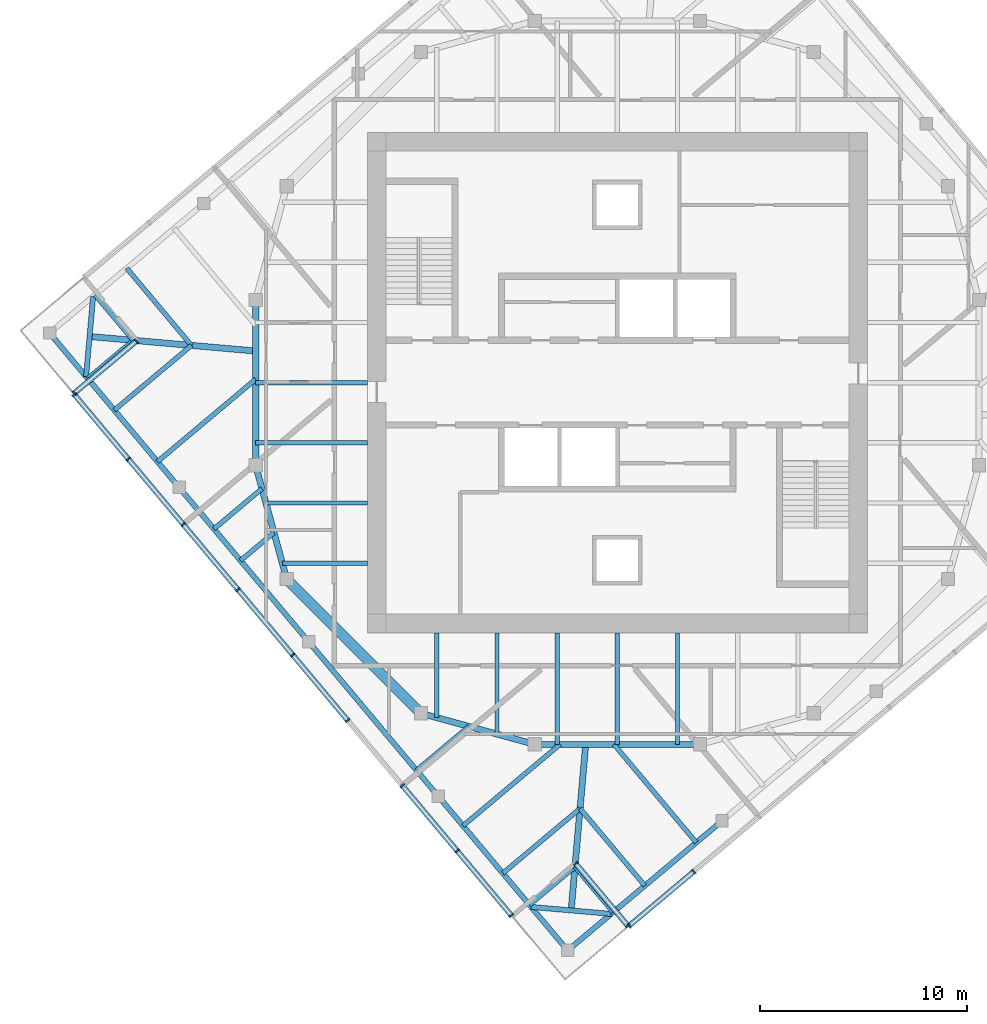
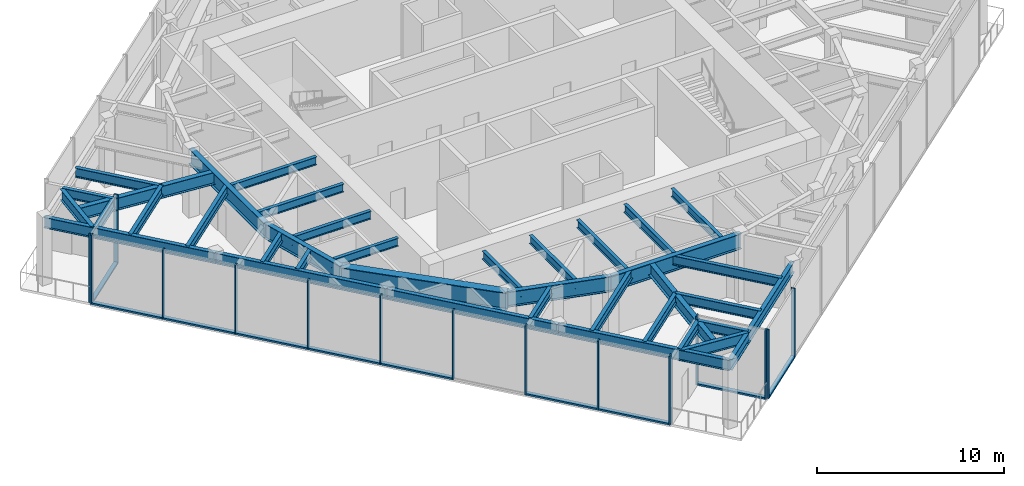
# One storey, part 2 of 11: 37 beams, 25 members, 4 elements without a shape of their own.
"""IFC4 building model written with IfcOpenShell, lengths in metres."""

from ifc_helpers import new_model, si_unit, direction, frame, origin, origin_2d, place, context, subcontext, project, spatial, rectangle, i_section, extrude, material, material_profile, profile_set, type_object, element, aggregate, save


model = new_model("IFC4")

# Units and contexts
model_context = context("Model", 3, precision=1e-05, world=origin(), true_north=direction((0.0, 1.0)))
body_context = subcontext(model_context, "Body", "Model", "MODEL_VIEW")
ifc_project = project(units=[si_unit("LENGTHUNIT", "METRE"), si_unit("AREAUNIT", "SQUARE_METRE"), si_unit("VOLUMEUNIT", "CUBIC_METRE"), si_unit("PLANEANGLEUNIT", "RADIAN"), si_unit("MASSUNIT", "GRAM", prefix="KILO")], contexts=[model_context])

# Site, building, storey
site_placement = place(None, origin())
site = spatial("IfcSite", under=ifc_project, at=site_placement, CompositionType="ELEMENT")
building_placement = place(site_placement, origin())
building = spatial("IfcBuilding", under=site, at=building_placement, Name="Torsade Residences", CompositionType="ELEMENT")
storey_placement = place(building_placement, frame((0.0, 0.0, 299.800048828125)))
storey = spatial("IfcBuildingStorey", under=building, at=storey_placement, Name="L83", CompositionType="ELEMENT", Elevation=299.800048828125)

# Beams
ifc_material_1 = material(Name="Steel grade 300", Category="steel")
ifc_material_profile_1 = material_profile(ifc_material_1, i_section(OverallWidth=0.300048828125, OverallDepth=0.800048828125, WebThickness=0.010009765625, FlangeThickness=0.02001953125, at=origin_2d()), Name="800WB146")
ifc_profile_set_1 = profile_set([ifc_material_profile_1], Name="Steel grade 300")
beam_type_1 = type_object("IfcBeamType", Name="CORNER GIRDER 800WB146", PredefinedType="BEAM", material=ifc_profile_set_1)
for number, where, z_axis, x_axis, name in (
    (1, (37.765869140625, 4.46484375, 3.89990234375), (0.087172957961, 0.996193191806, 0.0), (-0.996193191806, 0.087172957961, 0.0), "Corner girder 01 L84"),
    (2, (14.46484375, 32.234130859375, 3.89990234375), (0.996193191806, -0.087172957961, 0.0), (0.087172957961, 0.996193191806, 0.0), "Corner girder 13 L84"),
):
    element("IfcBeam", number, at=place(storey_placement, frame(where, z_axis=z_axis, x_axis=x_axis)), inside=storey, type_object=beam_type_1, Name=name, PredefinedType="BEAM", context=body_context, shape_type="SweptSolid", body=[
        extrude(i_section(OverallWidth=0.300048828125, OverallDepth=0.800048828125, WebThickness=0.010009765625, FlangeThickness=0.02001953125, at=origin_2d()), origin(), (0.0, 0.0, 1.0), 8.06591796875),
    ])
ifc_material_2 = material(Name="Steel grade 300", Category="steel")
ifc_material_profile_2 = material_profile(ifc_material_2, i_section(OverallWidth=0.25, OverallDepth=0.699951171875, WebThickness=0.010009765625, FlangeThickness=0.02001953125, at=origin_2d()), Name="700WB130")
ifc_profile_set_2 = profile_set([ifc_material_profile_2], Name="Steel grade 300")
beam_type_2 = type_object("IfcBeamType", Name="CORNER TRIMMER 700WB130", PredefinedType="BEAM", material=ifc_profile_set_2)
for number, where, z_axis, x_axis, name in (
    (3, (39.703125, 4.29541015625, 3.949951171875), (-0.996196646947, 0.087133464362, 0.0), (-0.087133464362, -0.996196646947, 0.0), "Corner trimmer 01 L84"),
    (4, (14.29541015625, 30.296875, 3.949951171875), (0.087133464362, 0.996196646947, 0.0), (-0.996196646947, 0.087133464362, 0.0), "Corner trimmer 13 L84"),
):
    element("IfcBeam", number, at=place(storey_placement, frame(where, z_axis=z_axis, x_axis=x_axis)), inside=storey, type_object=beam_type_2, Name=name, PredefinedType="BEAM", context=body_context, shape_type="SweptSolid", body=[
        extrude(i_section(OverallWidth=0.25, OverallDepth=0.699951171875, WebThickness=0.010009765625, FlangeThickness=0.02001953125, at=origin_2d()), origin(), (0.0, 0.0, 1.0), 3.88916015625),
    ])
ifc_material_3 = material(Name="Steel grade 300", Category="steel")
ifc_material_profile_3 = material_profile(ifc_material_3, i_section(OverallWidth=0.25, OverallDepth=0.699951171875, WebThickness=0.010009765625, FlangeThickness=0.02001953125, at=origin_2d()), Name="700WB130")
ifc_profile_set_3 = profile_set([ifc_material_profile_3], Name="Steel grade 300")
beam_type_3 = type_object("IfcBeamType", Name="EDGE BEAM 700WB130", PredefinedType="SPANDREL", material=ifc_profile_set_3)
for number, where, z_axis, x_axis, name in (
    (5, (37.596435546875, 2.52783203125, 3.949951171875), (0.766051532934, 0.642779160279, 0.0), (-0.642779160279, 0.766051532934, 0.0), "Edge beam 01 L84"),
    (6, (12.52783203125, 32.403564453125, 3.949951171875), (0.642779160279, -0.766051532934, 0.0), (0.766051532934, 0.642779160279, 0.0), "Edge beam 13 L84"),
    (7, (18.794921875, 24.9345703125, 3.949951171875), (0.642779160279, -0.766051532934, 0.0), (0.766051532934, 0.642779160279, 0.0), "Edge beam 14 L84"),
    (8, (25.06201171875, 17.465576171875, 3.949951171875), (0.642806184154, -0.766028856906, 0.0), (0.766028856906, 0.642806184154, 0.0), "Edge beam 15 L84"),
    (9, (31.329345703125, 9.996826171875, 3.949951171875), (0.642779160279, -0.766051532934, 0.0), (0.766051532934, 0.642779160279, 0.0), "Edge beam 16 L84"),
):
    element("IfcBeam", number, at=place(storey_placement, frame(where, z_axis=z_axis, x_axis=x_axis)), inside=storey, type_object=beam_type_3, Name=name, PredefinedType="SPANDREL", context=body_context, shape_type="SweptSolid", body=[
        extrude(i_section(OverallWidth=0.25, OverallDepth=0.699951171875, WebThickness=0.010009765625, FlangeThickness=0.02001953125, at=origin_2d()), origin(), (0.0, 0.0, 1.0), 9.75),
    ])
ifc_material_4 = material(Name="Steel grade 300", Category="steel")
ifc_material_profile_4 = material_profile(ifc_material_4, i_section(OverallWidth=0.208984375, OverallDepth=0.528076171875, WebThickness=0.009521484375, FlangeThickness=0.01318359375, FilletRadius=0.013916015625, at=origin_2d()), Name="530UB82.0")
ifc_profile_set_4 = profile_set([ifc_material_profile_4], Name="Steel grade 300")
beam_type_4 = type_object("IfcBeamType", Name="INNER FLOOR BEAM 530UB82.0", PredefinedType="JOIST", material=ifc_profile_set_4)
for number, where, z_axis, x_axis, name in (
    (10, (42.91259765625, 17.89990234375, 4.035888671875), (0.0, -1.0, 0.0), (1.0, 0.0, 0.0), "Inner floor beam IS03 L84"),
    (11, (40.0, 17.89990234375, 4.035888671875), (0.0, -1.0, 0.0), (1.0, 0.0, 0.0), "Inner floor beam IS04 L84"),
    (12, (37.08740234375, 17.89990234375, 4.035888671875), (0.0, -1.0, 0.0), (1.0, 0.0, 0.0), "Inner floor beam IS05 L84"),
):
    element("IfcBeam", number, at=place(storey_placement, frame(where, z_axis=z_axis, x_axis=x_axis)), inside=storey, type_object=beam_type_4, Name=name, PredefinedType="JOIST", context=body_context, shape_type="SweptSolid", body=[
        extrude(i_section(OverallWidth=0.208984375, OverallDepth=0.528076171875, WebThickness=0.009521484375, FlangeThickness=0.01318359375, FilletRadius=0.013916015625, at=origin_2d()), origin(), (0.0, 0.0, 1.0), 5.39990234375),
    ])
beam_1_placement = place(storey_placement, frame((34.175048828125, 17.89990234375, 4.035888671875), z_axis=(0.0, -1.0, 0.0), x_axis=(1.0, 0.0, 0.0)))
element("IfcBeam", 13, at=beam_1_placement, inside=storey, type_object=beam_type_4, Name="Inner floor beam IS06 L84", PredefinedType="JOIST", context=body_context, shape_type="SweptSolid", body=[
    extrude(i_section(OverallWidth=0.208984375, OverallDepth=0.528076171875, WebThickness=0.009521484375, FlangeThickness=0.01318359375, FilletRadius=0.013916015625, at=origin_2d()), origin(), (0.0, 0.0, 1.0), 4.902099609375),
])
beam_2_placement = place(storey_placement, frame((31.262451171875, 17.89990234375, 4.035888671875), z_axis=(0.0, -1.0, 0.0), x_axis=(1.0, 0.0, 0.0)))
element("IfcBeam", 14, at=beam_2_placement, inside=storey, type_object=beam_type_4, Name="Inner floor beam IS07 L84", PredefinedType="JOIST", context=body_context, shape_type="SweptSolid", body=[
    extrude(i_section(OverallWidth=0.208984375, OverallDepth=0.528076171875, WebThickness=0.009521484375, FlangeThickness=0.01318359375, FilletRadius=0.013916015625, at=origin_2d()), origin(), (0.0, 0.0, 1.0), 4.10791015625),
])
for number, where, z_axis, x_axis, name in (
    (15, (27.89990234375, 30.0, 4.035888671875), (-1.0, 0.0, 0.0), (0.0, -1.0, 0.0), "Inner floor beam IW04 L84"),
    (16, (27.89990234375, 27.08740234375, 4.035888671875), (-1.0, 0.0, 0.0), (0.0, -1.0, 0.0), "Inner floor beam IW05 L84"),
):
    element("IfcBeam", number, at=place(storey_placement, frame(where, z_axis=z_axis, x_axis=x_axis)), inside=storey, type_object=beam_type_4, Name=name, PredefinedType="JOIST", context=body_context, shape_type="SweptSolid", body=[
        extrude(i_section(OverallWidth=0.208984375, OverallDepth=0.528076171875, WebThickness=0.009521484375, FlangeThickness=0.01318359375, FilletRadius=0.013916015625, at=origin_2d()), origin(), (0.0, 0.0, 1.0), 5.39990234375),
    ])
beam_3_placement = place(storey_placement, frame((27.89990234375, 24.175048828125, 4.035888671875), z_axis=(-1.0, 0.0, 0.0), x_axis=(0.0, -1.0, 0.0)))
element("IfcBeam", 17, at=beam_3_placement, inside=storey, type_object=beam_type_4, Name="Inner floor beam IW06 L84", PredefinedType="JOIST", context=body_context, shape_type="SweptSolid", body=[
    extrude(i_section(OverallWidth=0.208984375, OverallDepth=0.528076171875, WebThickness=0.009521484375, FlangeThickness=0.01318359375, FilletRadius=0.013916015625, at=origin_2d()), origin(), (0.0, 0.0, 1.0), 4.902099609375),
])
beam_4_placement = place(storey_placement, frame((27.89990234375, 21.262451171875, 4.035888671875), z_axis=(-1.0, 0.0, 0.0), x_axis=(0.0, -1.0, 0.0)))
element("IfcBeam", 18, at=beam_4_placement, inside=storey, type_object=beam_type_4, Name="Inner floor beam IW07 L84", PredefinedType="JOIST", context=body_context, shape_type="SweptSolid", body=[
    extrude(i_section(OverallWidth=0.208984375, OverallDepth=0.528076171875, WebThickness=0.009521484375, FlangeThickness=0.01318359375, FilletRadius=0.013916015625, at=origin_2d()), origin(), (0.0, 0.0, 1.0), 4.10791015625),
])

# Curtain wall, members
ifc_material_5 = material(Name="Aluminium and glass", Category="aluminium")
curtain_wall_type = type_object("IfcCurtainWallType", Name="PLANT LEVEL LOUVRED CURTAIN WALL", PredefinedType="NOTDEFINED", material=ifc_material_5)
curtain_wall_1_placement = place(storey_placement, origin())
curtain_wall_1 = element("IfcCurtainWall", 19, at=curtain_wall_1_placement, inside=storey, type_object=curtain_wall_type, Name="Curtain wall L83 face 1", PredefinedType="NOTDEFINED")
ifc_material_6 = material(Name="Aluminium mullion", Category="aluminium")
ifc_material_profile_5 = material_profile(ifc_material_6, rectangle(XDim=0.25, YDim=0.080078125, at=origin_2d()), Name="LOUVRE WALL MULLION 250x80")
ifc_profile_set_5 = profile_set([ifc_material_profile_5], Name="Aluminium mullion")
member_type_1 = type_object("IfcMemberType", Name="LOUVRE WALL MULLION 250x80", PredefinedType="MULLION", material=ifc_profile_set_5)
member_1_placement = place(storey_placement, frame((40.568115234375, 3.7158203125, 0.0), z_axis=(0.0, 0.0, 1.0), x_axis=(-0.642787616853, 0.766044437106, 0.0)))
member_1 = element("IfcMember", 20, at=member_1_placement, type_object=member_type_1, Name="Mullion 1", PredefinedType="MULLION", context=body_context, shape_type="SweptSolid", body=[
    extrude(rectangle(XDim=0.25, YDim=0.080078125, at=origin_2d()), origin(), (0.0, 0.0, 1.0), 4.5),
])
member_2_placement = place(storey_placement, frame((43.697265625, 6.341552734375, 0.0), z_axis=(0.0, 0.0, 1.0), x_axis=(-0.642787616853, 0.766044437106, 0.0)))
member_2 = element("IfcMember", 21, at=member_2_placement, type_object=member_type_1, Name="Mullion 2", PredefinedType="MULLION", context=body_context, shape_type="SweptSolid", body=[
    extrude(rectangle(XDim=0.25, YDim=0.080078125, at=origin_2d()), origin(), (0.0, 0.0, 1.0), 4.5),
])

curtain_wall_2_placement = place(storey_placement, origin())
curtain_wall_2 = element("IfcCurtainWall", 22, at=curtain_wall_2_placement, inside=storey, type_object=curtain_wall_type, Name="Curtain wall L83 face 9", PredefinedType="NOTDEFINED")
member_3_placement = place(storey_placement, frame((16.7236328125, 32.008056640625, 0.0), z_axis=(0.0, 0.0, 1.0), x_axis=(0.642787664022, -0.766044397526, 0.0)))
member_3 = element("IfcMember", 23, at=member_3_placement, type_object=member_type_1, Name="Mullion 1", PredefinedType="MULLION", context=body_context, shape_type="SweptSolid", body=[
    extrude(rectangle(XDim=0.25, YDim=0.080078125, at=origin_2d()), origin(), (0.0, 0.0, 1.0), 4.5),
])
member_4_placement = place(storey_placement, frame((13.720703125, 29.48828125, 0.0), z_axis=(0.0, 0.0, 1.0), x_axis=(0.642787664022, -0.766044397526, 0.0)))
member_4 = element("IfcMember", 24, at=member_4_placement, type_object=member_type_1, Name="Mullion 2", PredefinedType="MULLION", context=body_context, shape_type="SweptSolid", body=[
    extrude(rectangle(XDim=0.25, YDim=0.080078125, at=origin_2d()), origin(), (0.0, 0.0, 1.0), 4.5),
])

curtain_wall_3_placement = place(storey_placement, origin())
curtain_wall_3 = element("IfcCurtainWall", 25, at=curtain_wall_3_placement, inside=storey, type_object=curtain_wall_type, Name="Curtain wall L83 face 10", PredefinedType="NOTDEFINED")
member_5_placement = place(storey_placement, frame((13.7158203125, 29.431884765625, 0.0), z_axis=(0.0, 0.0, 1.0), x_axis=(0.766044437106, 0.642787616853, 0.0)))
member_5 = element("IfcMember", 26, at=member_5_placement, type_object=member_type_1, Name="Mullion 1", PredefinedType="MULLION", context=body_context, shape_type="SweptSolid", body=[
    extrude(rectangle(XDim=0.25, YDim=0.080078125, at=origin_2d()), origin(), (0.0, 0.0, 1.0), 4.5),
])
member_6_placement = place(storey_placement, frame((16.341552734375, 26.302734375, 0.0), z_axis=(0.0, 0.0, 1.0), x_axis=(0.766044437106, 0.642787616853, 0.0)))
member_6 = element("IfcMember", 27, at=member_6_placement, type_object=member_type_1, Name="Mullion 2", PredefinedType="MULLION", context=body_context, shape_type="SweptSolid", body=[
    extrude(rectangle(XDim=0.25, YDim=0.080078125, at=origin_2d()), origin(), (0.0, 0.0, 1.0), 4.5),
])
member_7_placement = place(storey_placement, frame((18.9931640625, 23.142822265625, 0.0), z_axis=(0.0, 0.0, 1.0), x_axis=(0.766044437106, 0.642787616853, 0.0)))
member_7 = element("IfcMember", 28, at=member_7_placement, type_object=member_type_1, Name="Mullion 3", PredefinedType="MULLION", context=body_context, shape_type="SweptSolid", body=[
    extrude(rectangle(XDim=0.25, YDim=0.080078125, at=origin_2d()), origin(), (0.0, 0.0, 1.0), 4.5),
])
member_8_placement = place(storey_placement, frame((21.64453125, 19.982666015625, 0.0), z_axis=(0.0, 0.0, 1.0), x_axis=(0.766044437106, 0.642787616853, 0.0)))
member_8 = element("IfcMember", 29, at=member_8_placement, type_object=member_type_1, Name="Mullion 4", PredefinedType="MULLION", context=body_context, shape_type="SweptSolid", body=[
    extrude(rectangle(XDim=0.25, YDim=0.080078125, at=origin_2d()), origin(), (0.0, 0.0, 1.0), 4.5),
])
member_9_placement = place(storey_placement, frame((24.296142578125, 16.82275390625, 0.0), z_axis=(0.0, 0.0, 1.0), x_axis=(0.766044437106, 0.642787616853, 0.0)))
member_9 = element("IfcMember", 30, at=member_9_placement, type_object=member_type_1, Name="Mullion 5", PredefinedType="MULLION", context=body_context, shape_type="SweptSolid", body=[
    extrude(rectangle(XDim=0.25, YDim=0.080078125, at=origin_2d()), origin(), (0.0, 0.0, 1.0), 4.5),
])
member_10_placement = place(storey_placement, frame((26.947509765625, 13.662841796875, 0.0), z_axis=(0.0, 0.0, 1.0), x_axis=(0.766044437106, 0.642787616853, 0.0)))
member_10 = element("IfcMember", 31, at=member_10_placement, type_object=member_type_1, Name="Mullion 6", PredefinedType="MULLION", context=body_context, shape_type="SweptSolid", body=[
    extrude(rectangle(XDim=0.25, YDim=0.080078125, at=origin_2d()), origin(), (0.0, 0.0, 1.0), 4.5),
])
member_11_placement = place(storey_placement, frame((29.59912109375, 10.5029296875, 0.0), z_axis=(0.0, 0.0, 1.0), x_axis=(0.766044437106, 0.642787616853, 0.0)))
member_11 = element("IfcMember", 32, at=member_11_placement, type_object=member_type_1, Name="Mullion 7", PredefinedType="MULLION", context=body_context, shape_type="SweptSolid", body=[
    extrude(rectangle(XDim=0.25, YDim=0.080078125, at=origin_2d()), origin(), (0.0, 0.0, 1.0), 4.5),
])
member_12_placement = place(storey_placement, frame((32.25048828125, 7.343017578125, 0.0), z_axis=(0.0, 0.0, 1.0), x_axis=(0.766044437106, 0.642787616853, 0.0)))
member_12 = element("IfcMember", 33, at=member_12_placement, type_object=member_type_1, Name="Mullion 8", PredefinedType="MULLION", context=body_context, shape_type="SweptSolid", body=[
    extrude(rectangle(XDim=0.25, YDim=0.080078125, at=origin_2d()), origin(), (0.0, 0.0, 1.0), 4.5),
])
member_13_placement = place(storey_placement, frame((34.87646484375, 4.2138671875, 0.0), z_axis=(0.0, 0.0, 1.0), x_axis=(0.766044437106, 0.642787616853, 0.0)))
member_13 = element("IfcMember", 34, at=member_13_placement, type_object=member_type_1, Name="Mullion 9", PredefinedType="MULLION", context=body_context, shape_type="SweptSolid", body=[
    extrude(rectangle(XDim=0.25, YDim=0.080078125, at=origin_2d()), origin(), (0.0, 0.0, 1.0), 4.5),
])

curtain_wall_4_placement = place(storey_placement, origin())
curtain_wall_4 = element("IfcCurtainWall", 35, at=curtain_wall_4_placement, inside=storey, type_object=curtain_wall_type, Name="Curtain wall L83 face 12", PredefinedType="NOTDEFINED")
member_14_placement = place(storey_placement, frame((37.991943359375, 6.7236328125, 0.0), z_axis=(0.0, 0.0, 1.0), x_axis=(0.766044397526, 0.642787664022, 0.0)))
member_14 = element("IfcMember", 36, at=member_14_placement, type_object=member_type_1, Name="Mullion 1", PredefinedType="MULLION", context=body_context, shape_type="SweptSolid", body=[
    extrude(rectangle(XDim=0.25, YDim=0.080078125, at=origin_2d()), origin(), (0.0, 0.0, 1.0), 4.5),
])
member_15_placement = place(storey_placement, frame((40.51171875, 3.720703125, 0.0), z_axis=(0.0, 0.0, 1.0), x_axis=(0.766044397526, 0.642787664022, 0.0)))
member_15 = element("IfcMember", 37, at=member_15_placement, type_object=member_type_1, Name="Mullion 2", PredefinedType="MULLION", context=body_context, shape_type="SweptSolid", body=[
    extrude(rectangle(XDim=0.25, YDim=0.080078125, at=origin_2d()), origin(), (0.0, 0.0, 1.0), 4.5),
])

# Member
ifc_material_7 = material(Name="Aluminium transom", Category="aluminium")
ifc_material_profile_6 = material_profile(ifc_material_7, rectangle(XDim=0.25, YDim=0.110107421875, at=origin_2d()), Name="LOUVRE WALL TRANSOM 250x110")
ifc_profile_set_6 = profile_set([ifc_material_profile_6], Name="Aluminium transom")
member_type_2 = type_object("IfcMemberType", Name="LOUVRE WALL TRANSOM 250x110", PredefinedType="USERDEFINED", material=ifc_profile_set_6)
member_16_placement = place(storey_placement, frame((40.5986328125, 3.741455078125, 0.054931640625), z_axis=(0.766043394532, 0.642788859341, 0.0), x_axis=(-0.642788859341, 0.766043394532, 0.0)))
member_16 = element("IfcMember", 38, at=member_16_placement, type_object=member_type_2, Name="Transom 1.1", ObjectType="TRANSOM", PredefinedType="USERDEFINED", context=body_context, shape_type="SweptSolid", body=[
    extrude(rectangle(XDim=0.25, YDim=0.110107421875, at=origin_2d()), origin(), (0.0, 0.0, 1.0), 4.005126953125),
])

aggregate(curtain_wall_1, [member_1, member_2, member_16])

member_17_placement = place(storey_placement, frame((16.69287109375, 31.982421875, 0.054931640625), z_axis=(-0.765996615953, -0.642844603577, 0.0), x_axis=(0.642844603577, -0.765996615953, 0.0)))
member_17 = element("IfcMember", 39, at=member_17_placement, type_object=member_type_2, Name="Transom 1.1", ObjectType="TRANSOM", PredefinedType="USERDEFINED", context=body_context, shape_type="SweptSolid", body=[
    extrude(rectangle(XDim=0.25, YDim=0.110107421875, at=origin_2d()), origin(), (0.0, 0.0, 1.0), 3.840087890625),
])

aggregate(curtain_wall_2, [member_3, member_4, member_17])

member_18_placement = place(storey_placement, frame((13.741455078125, 29.4013671875, 0.054931640625), z_axis=(0.642788859341, -0.766043394532, 0.0), x_axis=(0.766043394532, 0.642788859341, 0.0)))
member_18 = element("IfcMember", 40, at=member_18_placement, type_object=member_type_2, Name="Transom 1.1", ObjectType="TRANSOM", PredefinedType="USERDEFINED", context=body_context, shape_type="SweptSolid", body=[
    extrude(rectangle(XDim=0.25, YDim=0.110107421875, at=origin_2d()), origin(), (0.0, 0.0, 1.0), 4.005126953125),
])

member_19_placement = place(storey_placement, frame((16.3671875, 26.27197265625, 0.054931640625), z_axis=(0.642792833221, -0.766040060023, 0.0), x_axis=(0.766040060023, 0.642792833221, 0.0)))
member_19 = element("IfcMember", 41, at=member_19_placement, type_object=member_type_2, Name="Transom 2.1", ObjectType="TRANSOM", PredefinedType="USERDEFINED", context=body_context, shape_type="SweptSolid", body=[
    extrude(rectangle(XDim=0.25, YDim=0.110107421875, at=origin_2d()), origin(), (0.0, 0.0, 1.0), 4.044921875),
])

member_20_placement = place(storey_placement, frame((19.018798828125, 23.112060546875, 0.054931640625), z_axis=(0.642792833221, -0.766040060023, 0.0), x_axis=(0.766040060023, 0.642792833221, 0.0)))
member_20 = element("IfcMember", 42, at=member_20_placement, type_object=member_type_2, Name="Transom 3.1", ObjectType="TRANSOM", PredefinedType="USERDEFINED", context=body_context, shape_type="SweptSolid", body=[
    extrude(rectangle(XDim=0.25, YDim=0.110107421875, at=origin_2d()), origin(), (0.0, 0.0, 1.0), 4.044921875),
])

member_21_placement = place(storey_placement, frame((21.67041015625, 19.9521484375, 0.054931640625), z_axis=(0.642757413132, -0.766069780023, 0.0), x_axis=(0.766069780023, 0.642757413132, 0.0)))
member_21 = element("IfcMember", 43, at=member_21_placement, type_object=member_type_2, Name="Transom 4.1", ObjectType="TRANSOM", PredefinedType="USERDEFINED", context=body_context, shape_type="SweptSolid", body=[
    extrude(rectangle(XDim=0.25, YDim=0.110107421875, at=origin_2d()), origin(), (0.0, 0.0, 1.0), 4.044921875),
])

member_22_placement = place(storey_placement, frame((24.32177734375, 16.792236328125, 0.054931640625), z_axis=(0.642792833221, -0.766040060023, 0.0), x_axis=(0.766040060023, 0.642792833221, 0.0)))
member_22 = element("IfcMember", 44, at=member_22_placement, type_object=member_type_2, Name="Transom 5.1", ObjectType="TRANSOM", PredefinedType="USERDEFINED", context=body_context, shape_type="SweptSolid", body=[
    extrude(rectangle(XDim=0.25, YDim=0.110107421875, at=origin_2d()), origin(), (0.0, 0.0, 1.0), 4.044921875),
])

member_23_placement = place(storey_placement, frame((29.624755859375, 10.472412109375, 0.054931640625), z_axis=(0.642792833221, -0.766040060023, 0.0), x_axis=(0.766040060023, 0.642792833221, 0.0)))
member_23 = element("IfcMember", 45, at=member_23_placement, type_object=member_type_2, Name="Transom 7.1", ObjectType="TRANSOM", PredefinedType="USERDEFINED", context=body_context, shape_type="SweptSolid", body=[
    extrude(rectangle(XDim=0.25, YDim=0.110107421875, at=origin_2d()), origin(), (0.0, 0.0, 1.0), 4.044921875),
])

member_24_placement = place(storey_placement, frame((32.2763671875, 7.3125, 0.054931640625), z_axis=(0.642753086451, -0.766073410227, 0.0), x_axis=(0.766073410227, 0.642753086451, 0.0)))
member_24 = element("IfcMember", 46, at=member_24_placement, type_object=member_type_2, Name="Transom 8.1", ObjectType="TRANSOM", PredefinedType="USERDEFINED", context=body_context, shape_type="SweptSolid", body=[
    extrude(rectangle(XDim=0.25, YDim=0.110107421875, at=origin_2d()), origin(), (0.0, 0.0, 1.0), 4.0048828125),
])

aggregate(curtain_wall_3, [member_5, member_6, member_7, member_8, member_9, member_10, member_11, member_12, member_13, member_18, member_19, member_20, member_21, member_22, member_23, member_24])

member_25_placement = place(storey_placement, frame((38.017578125, 6.69287109375, 0.054931640625), z_axis=(0.642844603577, -0.765996615953, 0.0), x_axis=(0.765996615953, 0.642844603577, 0.0)))
member_25 = element("IfcMember", 47, at=member_25_placement, type_object=member_type_2, Name="Transom 1.1", ObjectType="TRANSOM", PredefinedType="USERDEFINED", context=body_context, shape_type="SweptSolid", body=[
    extrude(rectangle(XDim=0.25, YDim=0.110107421875, at=origin_2d()), origin(), (0.0, 0.0, 1.0), 3.840087890625),
])

aggregate(curtain_wall_4, [member_14, member_15, member_25])

# Beams
ifc_material_8 = material(Name="Steel grade 300", Category="steel")
ifc_material_profile_7 = material_profile(ifc_material_8, i_section(OverallWidth=0.5, OverallDepth=1.199951171875, WebThickness=0.01611328125, FlangeThickness=0.0400390625, at=origin_2d()), Name="1200WB455")
ifc_profile_set_7 = profile_set([ifc_material_profile_7], Name="Steel grade 300")
beam_type_5 = type_object("IfcBeamType", Name="RING CORNER GIRDER 1200WB455", PredefinedType="BEAM", material=ifc_profile_set_7)
beam_5_placement = place(storey_placement, frame((24.0, 20.5, 3.699951171875), z_axis=(0.707106781187, -0.707106781187, 0.0), x_axis=(0.707106781187, 0.707106781187, 0.0)))
element("IfcBeam", 48, at=beam_5_placement, inside=storey, type_object=beam_type_5, Name="Ring girder IR11 L84", PredefinedType="BEAM", context=body_context, shape_type="SweptSolid", body=[
    extrude(i_section(OverallWidth=0.5, OverallDepth=1.199951171875, WebThickness=0.01611328125, FlangeThickness=0.0400390625, at=origin_2d()), origin(), (0.0, 0.0, 1.0), 9.1923828125),
])
ifc_material_9 = material(Name="Steel grade 300", Category="steel")
ifc_material_profile_8 = material_profile(ifc_material_9, i_section(OverallWidth=0.300048828125, OverallDepth=1.0, WebThickness=0.01611328125, FlangeThickness=0.028076171875, at=origin_2d()), Name="1000WB215")
ifc_profile_set_8 = profile_set([ifc_material_profile_8], Name="Steel grade 300")
beam_type_6 = type_object("IfcBeamType", Name="RING GIRDER 1000WB215", PredefinedType="BEAM", material=ifc_profile_set_8)
beam_6_placement = place(storey_placement, frame((22.5, 34.0, 3.800048828125), z_axis=(0.0, -1.0, 0.0), x_axis=(1.0, 0.0, 0.0)))
element("IfcBeam", 49, at=beam_6_placement, inside=storey, type_object=beam_type_6, Name="Ring girder IR09 L84", PredefinedType="BEAM", context=body_context, shape_type="SweptSolid", body=[
    extrude(i_section(OverallWidth=0.300048828125, OverallDepth=1.0, WebThickness=0.01611328125, FlangeThickness=0.028076171875, at=origin_2d()), origin(), (0.0, 0.0, 1.0), 8.0),
])
for number, where, z_axis, x_axis, name in (
    (50, (22.5, 26.0, 3.800048828125), (0.263117405792, -0.964763821238, 0.0), (0.964763821238, 0.263117405792, 0.0), "Ring girder IR10 L84"),
    (51, (30.5, 14.0, 3.800048828125), (0.964763821238, -0.263117405792, 0.0), (0.263117405792, 0.964763821238, 0.0), "Ring girder IR12 L84"),
):
    element("IfcBeam", number, at=place(storey_placement, frame(where, z_axis=z_axis, x_axis=x_axis)), inside=storey, type_object=beam_type_6, Name=name, PredefinedType="BEAM", context=body_context, shape_type="SweptSolid", body=[
        extrude(i_section(OverallWidth=0.300048828125, OverallDepth=1.0, WebThickness=0.01611328125, FlangeThickness=0.028076171875, at=origin_2d()), origin(), (0.0, 0.0, 1.0), 5.700927734375),
    ])
beam_7_placement = place(storey_placement, frame((36.0, 12.5, 3.800048828125), z_axis=(1.0, 0.0, 0.0), x_axis=(0.0, 1.0, 0.0)))
element("IfcBeam", 52, at=beam_7_placement, inside=storey, type_object=beam_type_6, Name="Ring girder IR13 L84", PredefinedType="BEAM", context=body_context, shape_type="SweptSolid", body=[
    extrude(i_section(OverallWidth=0.300048828125, OverallDepth=1.0, WebThickness=0.01611328125, FlangeThickness=0.028076171875, at=origin_2d()), origin(), (0.0, 0.0, 1.0), 8.0),
])
ifc_material_10 = material(Name="Steel grade 300", Category="steel")
ifc_material_profile_9 = material_profile(ifc_material_10, i_section(OverallWidth=0.22900390625, OverallDepth=0.612060546875, WebThickness=0.011962890625, FlangeThickness=0.01953125, FilletRadius=0.013916015625, at=origin_2d()), Name="610UB125")
ifc_profile_set_9 = profile_set([ifc_material_profile_9], Name="Steel grade 300")
beam_type_7 = type_object("IfcBeamType", Name="SECONDARY BEAM 610UB125", PredefinedType="JOIST", material=ifc_profile_set_9)
beam_8_placement = place(storey_placement, frame((39.798828125, 4.375732421875, 3.993896484375), z_axis=(-0.642761807001, 0.766066093402, 0.0), x_axis=(-0.766066093402, -0.642761807001, 0.0)))
element("IfcBeam", 53, at=beam_8_placement, inside=storey, type_object=beam_type_7, Name="Floor beam FS01 L84", PredefinedType="JOIST", context=body_context, shape_type="SweptSolid", body=[
    extrude(i_section(OverallWidth=0.22900390625, OverallDepth=0.612060546875, WebThickness=0.011962890625, FlangeThickness=0.01953125, FilletRadius=0.013916015625, at=origin_2d()), origin(), (0.0, 0.0, 1.0), 2.875),
])
beam_9_placement = place(storey_placement, frame((41.3310546875, 5.661376953125, 3.993896484375), z_axis=(-0.642820877376, 0.766016526982, 0.0), x_axis=(-0.766016526982, -0.642820877376, 0.0)))
element("IfcBeam", 54, at=beam_9_placement, inside=storey, type_object=beam_type_7, Name="Floor beam FS02 L84", PredefinedType="JOIST", context=body_context, shape_type="SweptSolid", body=[
    extrude(i_section(OverallWidth=0.22900390625, OverallDepth=0.612060546875, WebThickness=0.011962890625, FlangeThickness=0.01953125, FilletRadius=0.013916015625, at=origin_2d()), origin(), (0.0, 0.0, 1.0), 4.875),
])
beam_10_placement = place(storey_placement, frame((43.820556640625, 7.75048828125, 3.993896484375), z_axis=(-0.642791209238, 0.766041422722, 0.0), x_axis=(-0.766041422722, -0.642791209238, 0.0)))
element("IfcBeam", 55, at=beam_10_placement, inside=storey, type_object=beam_type_7, Name="Floor beam FS03 L84", PredefinedType="JOIST", context=body_context, shape_type="SweptSolid", body=[
    extrude(i_section(OverallWidth=0.22900390625, OverallDepth=0.612060546875, WebThickness=0.011962890625, FlangeThickness=0.01953125, FilletRadius=0.013916015625, at=origin_2d()), origin(), (0.0, 0.0, 1.0), 6.199951171875),
])
beam_11_placement = place(storey_placement, frame((16.26220703125, 35.537109375, 3.993896484375), z_axis=(0.642791490223, -0.766041186946, 0.0), x_axis=(0.766041186946, 0.642791490223, 0.0)))
element("IfcBeam", 56, at=beam_11_placement, inside=storey, type_object=beam_type_7, Name="Floor beam FN11 L84", PredefinedType="JOIST", context=body_context, shape_type="SweptSolid", body=[
    extrude(i_section(OverallWidth=0.22900390625, OverallDepth=0.612060546875, WebThickness=0.011962890625, FlangeThickness=0.01953125, FilletRadius=0.013916015625, at=origin_2d()), origin(), (0.0, 0.0, 1.0), 4.875),
])
for number, where, z_axis, x_axis, name in (
    (57, (14.730224609375, 34.25146484375, 3.993896484375), (0.642761807001, -0.766066093402, 0.0), (0.766066093402, 0.642761807001, 0.0), "Floor beam FN12 L84"),
    (58, (14.375732421875, 30.201171875, 3.993896484375), (0.766066093402, 0.642761807001, 0.0), (-0.642761807001, 0.766066093402, 0.0), "Floor beam FW01 L84"),
):
    element("IfcBeam", number, at=place(storey_placement, frame(where, z_axis=z_axis, x_axis=x_axis)), inside=storey, type_object=beam_type_7, Name=name, PredefinedType="JOIST", context=body_context, shape_type="SweptSolid", body=[
        extrude(i_section(OverallWidth=0.22900390625, OverallDepth=0.612060546875, WebThickness=0.011962890625, FlangeThickness=0.01953125, FilletRadius=0.013916015625, at=origin_2d()), origin(), (0.0, 0.0, 1.0), 2.875),
    ])
beam_12_placement = place(storey_placement, frame((15.661376953125, 28.6689453125, 3.993896484375), z_axis=(0.766016526982, 0.642820877376, 0.0), x_axis=(-0.642820877376, 0.766016526982, 0.0)))
element("IfcBeam", 59, at=beam_12_placement, inside=storey, type_object=beam_type_7, Name="Floor beam FW02 L84", PredefinedType="JOIST", context=body_context, shape_type="SweptSolid", body=[
    extrude(i_section(OverallWidth=0.22900390625, OverallDepth=0.612060546875, WebThickness=0.011962890625, FlangeThickness=0.01953125, FilletRadius=0.013916015625, at=origin_2d()), origin(), (0.0, 0.0, 1.0), 4.875),
])
beam_13_placement = place(storey_placement, frame((17.75048828125, 26.179443359375, 3.993896484375), z_axis=(0.766041422722, 0.642791209238, 0.0), x_axis=(-0.642791209238, 0.766041422722, 0.0)))
element("IfcBeam", 60, at=beam_13_placement, inside=storey, type_object=beam_type_7, Name="Floor beam FW03 L84", PredefinedType="JOIST", context=body_context, shape_type="SweptSolid", body=[
    extrude(i_section(OverallWidth=0.22900390625, OverallDepth=0.612060546875, WebThickness=0.011962890625, FlangeThickness=0.01953125, FilletRadius=0.013916015625, at=origin_2d()), origin(), (0.0, 0.0, 1.0), 6.199951171875),
])
beam_14_placement = place(storey_placement, frame((20.482177734375, 22.923828125, 3.993896484375), z_axis=(0.766080361029, 0.64274480196, 0.0), x_axis=(-0.64274480196, 0.766080361029, 0.0)))
element("IfcBeam", 61, at=beam_14_placement, inside=storey, type_object=beam_type_7, Name="Floor beam FW04 L84", PredefinedType="JOIST", context=body_context, shape_type="SweptSolid", body=[
    extrude(i_section(OverallWidth=0.22900390625, OverallDepth=0.612060546875, WebThickness=0.011962890625, FlangeThickness=0.01953125, FilletRadius=0.013916015625, at=origin_2d()), origin(), (0.0, 0.0, 1.0), 3.03466796875),
])
beam_15_placement = place(storey_placement, frame((21.767822265625, 21.3916015625, 3.993896484375), z_axis=(0.766057560226, 0.642771977004, 0.0), x_axis=(-0.642771977004, 0.766057560226, 0.0)))
element("IfcBeam", 62, at=beam_15_placement, inside=storey, type_object=beam_type_7, Name="Floor beam FW05 L84", PredefinedType="JOIST", context=body_context, shape_type="SweptSolid", body=[
    extrude(i_section(OverallWidth=0.22900390625, OverallDepth=0.612060546875, WebThickness=0.011962890625, FlangeThickness=0.01953125, FilletRadius=0.013916015625, at=origin_2d()), origin(), (0.0, 0.0, 1.0), 2.113037109375),
])
beam_16_placement = place(storey_placement, frame((30.28466796875, 11.241455078125, 3.993896484375), z_axis=(0.766044990879, 0.642786956891, 0.0), x_axis=(-0.642786956891, 0.766044990879, 0.0)))
element("IfcBeam", 63, at=beam_16_placement, inside=storey, type_object=beam_type_7, Name="Floor beam FW09 L84", PredefinedType="JOIST", context=body_context, shape_type="SweptSolid", body=[
    extrude(i_section(OverallWidth=0.22900390625, OverallDepth=0.612060546875, WebThickness=0.011962890625, FlangeThickness=0.01953125, FilletRadius=0.013916015625, at=origin_2d()), origin(), (0.0, 0.0, 1.0), 3.307861328125),
])
beam_17_placement = place(storey_placement, frame((32.534423828125, 8.560302734375, 3.993896484375), z_axis=(0.766039049329, 0.642794037701, 0.0), x_axis=(-0.642794037701, 0.766039049329, 0.0)))
element("IfcBeam", 64, at=beam_17_placement, inside=storey, type_object=beam_type_7, Name="Floor beam FW10 L84", PredefinedType="JOIST", context=body_context, shape_type="SweptSolid", body=[
    extrude(i_section(OverallWidth=0.22900390625, OverallDepth=0.612060546875, WebThickness=0.011962890625, FlangeThickness=0.01953125, FilletRadius=0.013916015625, at=origin_2d()), origin(), (0.0, 0.0, 1.0), 6.12890625),
])
beam_18_placement = place(storey_placement, frame((34.462890625, 6.26220703125, 3.993896484375), z_axis=(0.766041186946, 0.642791490223, 0.0), x_axis=(-0.642791490223, 0.766041186946, 0.0)))
element("IfcBeam", 65, at=beam_18_placement, inside=storey, type_object=beam_type_7, Name="Floor beam FW11 L84", PredefinedType="JOIST", context=body_context, shape_type="SweptSolid", body=[
    extrude(i_section(OverallWidth=0.22900390625, OverallDepth=0.612060546875, WebThickness=0.011962890625, FlangeThickness=0.01953125, FilletRadius=0.013916015625, at=origin_2d()), origin(), (0.0, 0.0, 1.0), 4.875),
])
beam_19_placement = place(storey_placement, frame((35.74853515625, 4.730224609375, 3.993896484375), z_axis=(0.766066093402, 0.642761807001, 0.0), x_axis=(-0.642761807001, 0.766066093402, 0.0)))
element("IfcBeam", 66, at=beam_19_placement, inside=storey, type_object=beam_type_7, Name="Floor beam FW12 L84", PredefinedType="JOIST", context=body_context, shape_type="SweptSolid", body=[
    extrude(i_section(OverallWidth=0.22900390625, OverallDepth=0.612060546875, WebThickness=0.011962890625, FlangeThickness=0.01953125, FilletRadius=0.013916015625, at=origin_2d()), origin(), (0.0, 0.0, 1.0), 2.875),
])

save(model, "model.ifc")
